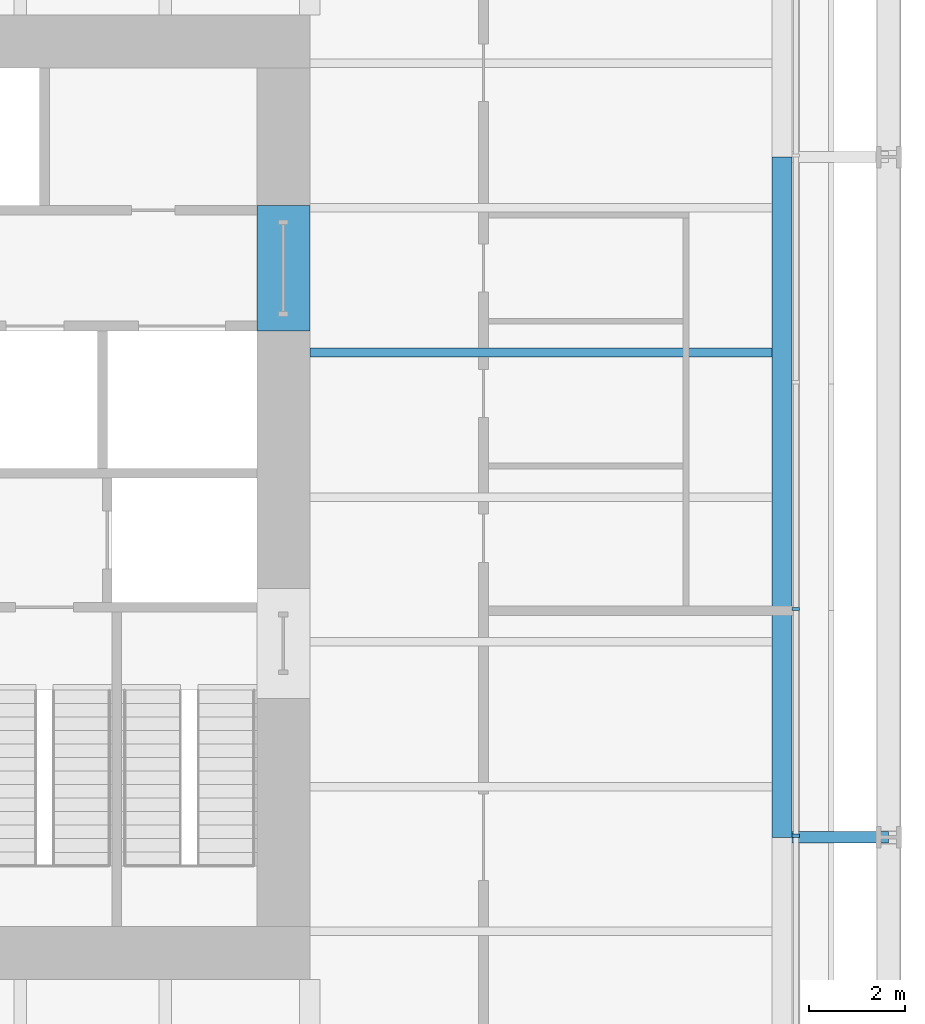
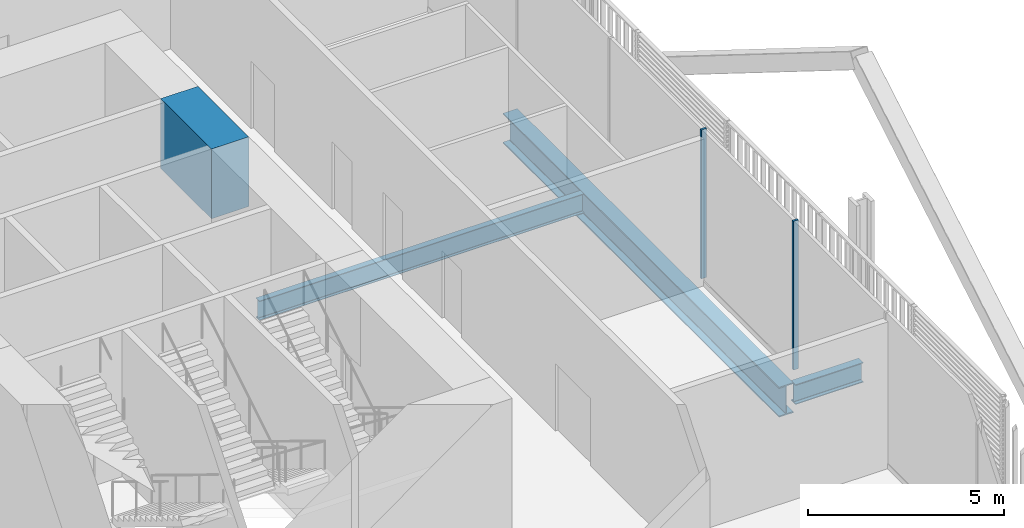
# One storey, part 9 of 22: 4 beams, 2 members, 1 element without a shape of its own.
"""IFC4 building model written with IfcOpenShell, lengths in metres."""

from ifc_helpers import new_model, si_unit, direction, frame, origin, origin_2d, place, context, subcontext, project, spatial, rectangle, i_section, extrude, material, layer, layer_set, material_profile, profile_set, type_object, element, aggregate, save


model = new_model("IFC4")

# Units and contexts
model_context = context("Model", 3, precision=1e-05, world=origin(), true_north=direction((0.0, 1.0)))
body_context = subcontext(model_context, "Body", "Model", "MODEL_VIEW")
ifc_project = project(units=[si_unit("LENGTHUNIT", "METRE"), si_unit("AREAUNIT", "SQUARE_METRE"), si_unit("VOLUMEUNIT", "CUBIC_METRE"), si_unit("PLANEANGLEUNIT", "RADIAN"), si_unit("MASSUNIT", "GRAM", prefix="KILO")], contexts=[model_context])

# Site, building, storey
site_placement = place(None, origin())
site = spatial("IfcSite", under=ifc_project, at=site_placement, CompositionType="ELEMENT")
building_placement = place(site_placement, origin())
building = spatial("IfcBuilding", under=site, at=building_placement, Name="Millrace Tower", CompositionType="ELEMENT")
storey_placement = place(building_placement, frame((0.0, 0.0, 44.89990234375)))
storey = spatial("IfcBuildingStorey", under=building, at=storey_placement, Name="L10", CompositionType="ELEMENT", Elevation=44.89990234375)

# Curtain wall, members
ifc_material_1 = material(Name="Aluminium and glass", Category="aluminium")
ifc_layer = layer(ifc_material_1, 0.14990234375)
ifc_layer_set = layer_set([ifc_layer], Name="Aluminium and glass")
curtain_wall_type = type_object("IfcCurtainWallType", Name="CW-2 data hall insulated curtain wall", PredefinedType="NOTDEFINED", material=ifc_layer_set)
curtain_wall_placement = place(storey_placement, origin())
curtain_wall = element("IfcCurtainWall", 1, at=curtain_wall_placement, inside=storey, type_object=curtain_wall_type, Name="Curtain wall A-F04 L10", PredefinedType="NOTDEFINED")
ifc_material_2 = material(Name="Aluminium", Category="aluminium")
ifc_material_profile_1 = material_profile(ifc_material_2, rectangle(XDim=0.06494140625, YDim=0.14990234375, at=origin_2d()))
ifc_profile_set_1 = profile_set([ifc_material_profile_1], Name="Aluminium")
member_type = type_object("IfcMemberType", Name="CW-2 data hall insulated curtain wall mullion", PredefinedType="MULLION", material=ifc_profile_set_1)
member_1_placement = place(storey_placement, frame((25.074951171875, -7.017578125, 0.16015625), z_axis=(0.0, 0.0, 1.0), x_axis=(0.0, 1.0, 0.0)))
member_1 = element("IfcMember", 2, at=member_1_placement, type_object=member_type, Name="CW2 mullion A-F04.4", PredefinedType="MULLION", context=body_context, shape_type="SweptSolid", body=[
    extrude(rectangle(XDim=0.06494140625, YDim=0.14990234375, at=origin_2d()), origin(), (0.0, 0.0, 1.0), 4.639892578125),
])
member_2_placement = place(storey_placement, frame((25.074951171875, -2.3173828125, 0.16015625), z_axis=(0.0, 0.0, 1.0), x_axis=(0.0, 1.0, 0.0)))
member_2 = element("IfcMember", 3, at=member_2_placement, type_object=member_type, Name="CW2 mullion A-F04.5", PredefinedType="MULLION", context=body_context, shape_type="SweptSolid", body=[
    extrude(rectangle(XDim=0.06494140625, YDim=0.14990234375, at=origin_2d()), origin(), (0.0, 0.0, 1.0), 4.639892578125),
])
aggregate(curtain_wall, [member_1, member_2])

# Beams
ifc_material_3 = material(Name="Concrete C80", Category="concrete")
ifc_material_profile_2 = material_profile(ifc_material_3, rectangle(XDim=1.10009765625, YDim=2.175048828125, at=origin_2d()))
ifc_profile_set_2 = profile_set([ifc_material_profile_2], Name="Concrete C80")
beam_type_1 = type_object("IfcBeamType", Name="Coupling beam 1100 x 2175 Concrete C80, 2000 opening", PredefinedType="BEAM", material=ifc_profile_set_2)
beam_1_placement = place(storey_placement, frame((14.449951171875, 6.050048828125, 3.487548828125), z_axis=(0.0, -1.0, 0.0), x_axis=(1.0, 0.0, 0.0)))
element("IfcBeam", 4, at=beam_1_placement, inside=storey, type_object=beam_type_1, Name="Coupling beam E L10", PredefinedType="BEAM", context=body_context, shape_type="SweptSolid", body=[
    extrude(rectangle(XDim=1.10009765625, YDim=2.175048828125, at=origin_2d()), origin(), (0.0, 0.0, 1.0), 2.60009765625),
])
ifc_material_4 = material(Name="Steel ASTM A992 Grade 50", Category="steel")
ifc_material_profile_3 = material_profile(ifc_material_4, i_section(OverallWidth=0.1787109375, OverallDepth=0.60205078125, WebThickness=0.010986328125, FlangeThickness=0.014892578125, FilletRadius=0.0126953125, at=origin_2d()))
ifc_profile_set_3 = profile_set([ifc_material_profile_3], Name="Steel ASTM A992 Grade 50")
beam_type_2 = type_object("IfcBeamType", Name="Floor beam W24x62", PredefinedType="JOIST", material=ifc_profile_set_3)
beam_2_placement = place(storey_placement, frame((15.0, 3.0, -0.52587890625), z_axis=(1.0, 0.0, 0.0), x_axis=(0.0, 1.0, 0.0)))
element("IfcBeam", 5, at=beam_2_placement, inside=storey, type_object=beam_type_2, Name="BM-A-L10-S1-S025", PredefinedType="JOIST", context=body_context, shape_type="SweptSolid", body=[
    extrude(i_section(OverallWidth=0.1787109375, OverallDepth=0.60205078125, WebThickness=0.010986328125, FlangeThickness=0.014892578125, FilletRadius=0.0126953125, at=origin_2d()), origin(), (0.0, 0.0, 1.0), 9.578369140625),
])
ifc_material_5 = material(Name="Steel ASTM A992 Grade 50", Category="steel")
ifc_material_profile_4 = material_profile(ifc_material_5, i_section(OverallWidth=0.23046875, OverallDepth=0.6171875, WebThickness=0.01318359375, FlangeThickness=0.022216796875, FilletRadius=0.012939453125, at=origin_2d()))
ifc_profile_set_4 = profile_set([ifc_material_profile_4], Name="Steel ASTM A992 Grade 50")
beam_type_3 = type_object("IfcBeamType", Name="Link beam W24x94", PredefinedType="BEAM", material=ifc_profile_set_4)
beam_3_placement = place(storey_placement, frame((25.0, -7.050048828125, -0.533447265625), z_axis=(1.0, 0.0, 0.0), x_axis=(0.0, 1.0, 0.0)))
element("IfcBeam", 6, at=beam_3_placement, inside=storey, type_object=beam_type_3, Name="LNK-A-L10-S1-11", PredefinedType="BEAM", context=body_context, shape_type="SweptSolid", body=[
    extrude(i_section(OverallWidth=0.23046875, OverallDepth=0.6171875, WebThickness=0.01318359375, FlangeThickness=0.022216796875, FilletRadius=0.012939453125, at=origin_2d()), origin(), (0.0, 0.0, 1.0), 2.0),
])
ifc_material_6 = material(Name="Steel ASTM A992 Grade 50", Category="steel")
ifc_material_profile_5 = material_profile(ifc_material_6, i_section(OverallWidth=0.421630859375, OverallDepth=0.937255859375, WebThickness=0.021240234375, FlangeThickness=0.03662109375, FilletRadius=0.024169921875, at=origin_2d()))
ifc_profile_set_5 = profile_set([ifc_material_profile_5], Name="Steel ASTM A992 Grade 50")
beam_type_4 = type_object("IfcBeamType", Name="Ring beam medium span W36x262", PredefinedType="SPANDREL", material=ifc_profile_set_5)
beam_4_placement = place(storey_placement, frame((24.7890625, 7.050048828125, -0.693603515625), z_axis=(0.0, -1.0, 0.0), x_axis=(1.0, 0.0, 0.0)))
element("IfcBeam", 7, at=beam_4_placement, inside=storey, type_object=beam_type_4, Name="RNG-A-L10-S1-10", PredefinedType="SPANDREL", context=body_context, shape_type="SweptSolid", body=[
    extrude(i_section(OverallWidth=0.421630859375, OverallDepth=0.937255859375, WebThickness=0.021240234375, FlangeThickness=0.03662109375, FilletRadius=0.024169921875, at=origin_2d()), origin(), (0.0, 0.0, 1.0), 14.10009765625),
])

save(model, "model.ifc")
